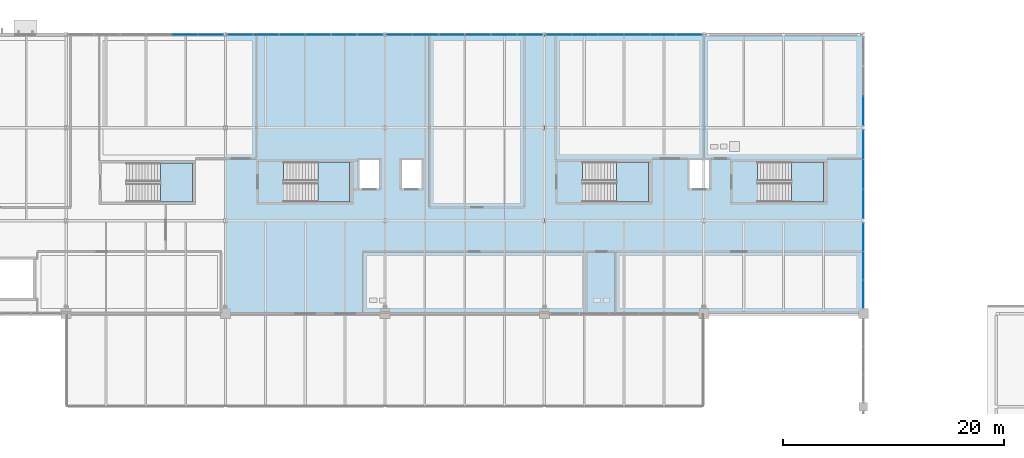
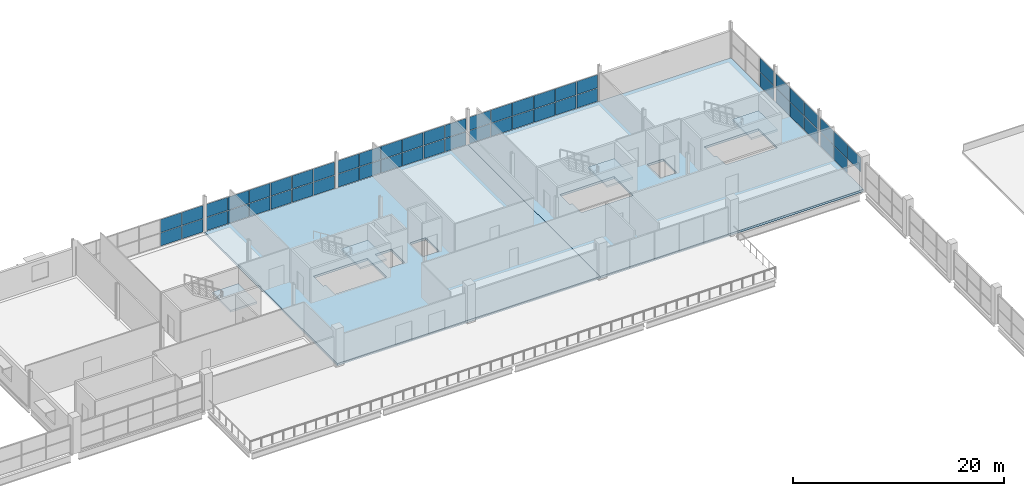
# One storey, part 73 of 93: 53 plates, 6 slabs, 11 elements without a shape of their own.
"""IFC4 building model written with IfcOpenShell, lengths in metres."""

from ifc_helpers import new_model, si_unit, direction, frame, origin, origin_2d, place, context, subcontext, project, spatial, polyline, rectangle, outline, extrude, material, layer, layer_set, type_object, element, aggregate, save


model = new_model("IFC4")

# Units and contexts
model_context = context("Model", 3, precision=1e-05, world=origin(), true_north=direction((0.0, 1.0)))
body_context = subcontext(model_context, "Body", "Model", "MODEL_VIEW")
ifc_project = project(units=[si_unit("LENGTHUNIT", "METRE"), si_unit("AREAUNIT", "SQUARE_METRE"), si_unit("VOLUMEUNIT", "CUBIC_METRE"), si_unit("PLANEANGLEUNIT", "RADIAN"), si_unit("MASSUNIT", "GRAM", prefix="KILO"), si_unit("THERMODYNAMICTEMPERATUREUNIT", "KELVIN")], contexts=[model_context])

# Site, building, storey
site_placement = place(None, origin())
site = spatial("IfcSite", under=ifc_project, at=site_placement, CompositionType="ELEMENT")
building_placement = place(site_placement, origin())
building = spatial("IfcBuilding", under=site, at=building_placement, Name="Nduvali Passage Aquatics Centre", CompositionType="ELEMENT")
storey_placement = place(building_placement, frame((0.0, 0.0, 9.0)))
storey = spatial("IfcBuildingStorey", under=building, at=storey_placement, Name="L02", CompositionType="ELEMENT", Elevation=9.0)

# Curtain wall, plates
ifc_material_1 = material(Name="Aluminium EN AW-6063 T6", Category="aluminium")
curtain_wall_type_1 = type_object("IfcCurtainWallType", Name="ENV-CW-WELL", PredefinedType="NOTDEFINED", material=ifc_material_1)
curtain_wall_1_placement = place(storey_placement, origin())
curtain_wall_1 = element("IfcCurtainWall", 1, at=curtain_wall_1_placement, inside=storey, type_object=curtain_wall_type_1, Name="L02 North Avenue Clinic CW 101", PredefinedType="NOTDEFINED")
ifc_material_2 = material(Name="Laminated solar-control low-E IGU")
ifc_layer_1 = layer(ifc_material_2, 0.028076171875, Name="Laminated solar-control low-E IGU")
ifc_layer_set_1 = layer_set([ifc_layer_1], Name="Laminated solar-control low-E IGU")
plate_type = type_object("IfcPlateType", Name="ENV-PLT-GLZ28", PredefinedType="CURTAIN_PANEL", material=ifc_layer_set_1)
plate_1_placement = place(storey_placement, frame((64.72509765625, 117.60009765625, 0.059814453125), z_axis=(0.0, 0.0, 1.0), x_axis=(1.0, 0.0, 0.0)))
plate_1 = element("IfcPlate", 2, at=plate_1_placement, type_object=plate_type, Name="North Avenue Clinic CW Glazed Panel B5-R1", PredefinedType="CURTAIN_PANEL", context=body_context, shape_type="SweptSolid", body=[
    extrude(rectangle(XDim=2.2900390625, YDim=0.028076171875, at=origin_2d()), origin(), (0.0, 0.0, 1.0), 1.501953125),
])
plate_2_placement = place(storey_placement, frame((64.72509765625, 117.60009765625, 1.621826171875), z_axis=(0.0, 0.0, 1.0), x_axis=(1.0, 0.0, 0.0)))
plate_2 = element("IfcPlate", 3, at=plate_2_placement, type_object=plate_type, Name="North Avenue Clinic CW Glazed Panel B5-R2", PredefinedType="CURTAIN_PANEL", context=body_context, shape_type="SweptSolid", body=[
    extrude(rectangle(XDim=2.2900390625, YDim=0.028076171875, at=origin_2d()), origin(), (0.0, 0.0, 1.0), 1.501953125),
])
plate_3_placement = place(storey_placement, frame((67.06005859375, 117.60009765625, 0.059814453125), z_axis=(0.0, 0.0, 1.0), x_axis=(1.0, 0.0, 0.0)))
plate_3 = element("IfcPlate", 4, at=plate_3_placement, type_object=plate_type, Name="North Avenue Clinic CW Glazed Panel B6-R1", PredefinedType="CURTAIN_PANEL", context=body_context, shape_type="SweptSolid", body=[
    extrude(rectangle(XDim=2.260009765625, YDim=0.028076171875, at=origin_2d()), origin(), (0.0, 0.0, 1.0), 1.501953125),
])
plate_4_placement = place(storey_placement, frame((67.06005859375, 117.60009765625, 1.621826171875), z_axis=(0.0, 0.0, 1.0), x_axis=(1.0, 0.0, 0.0)))
plate_4 = element("IfcPlate", 5, at=plate_4_placement, type_object=plate_type, Name="North Avenue Clinic CW Glazed Panel B6-R2", PredefinedType="CURTAIN_PANEL", context=body_context, shape_type="SweptSolid", body=[
    extrude(rectangle(XDim=2.260009765625, YDim=0.028076171875, at=origin_2d()), origin(), (0.0, 0.0, 1.0), 1.501953125),
])
aggregate(curtain_wall_1, [plate_1, plate_2, plate_3, plate_4])

curtain_wall_2_placement = place(storey_placement, origin())
curtain_wall_2 = element("IfcCurtainWall", 6, at=curtain_wall_2_placement, inside=storey, type_object=curtain_wall_type_1, Name="L02 North Avenue Clinic CW 104", PredefinedType="NOTDEFINED")
plate_5_placement = place(storey_placement, frame((69.739990234375, 117.60009765625, 0.059814453125), z_axis=(0.0, 0.0, 1.0), x_axis=(1.0, 0.0, 0.0)))
plate_5 = element("IfcPlate", 7, at=plate_5_placement, type_object=plate_type, Name="North Avenue Clinic CW Glazed Panel B1-R1", PredefinedType="CURTAIN_PANEL", context=body_context, shape_type="SweptSolid", body=[
    extrude(rectangle(XDim=2.260009765625, YDim=0.028076171875, at=origin_2d()), origin(), (0.0, 0.0, 1.0), 1.501953125),
])
plate_6_placement = place(storey_placement, frame((69.739990234375, 117.60009765625, 1.621826171875), z_axis=(0.0, 0.0, 1.0), x_axis=(1.0, 0.0, 0.0)))
plate_6 = element("IfcPlate", 8, at=plate_6_placement, type_object=plate_type, Name="North Avenue Clinic CW Glazed Panel B1-R2", PredefinedType="CURTAIN_PANEL", context=body_context, shape_type="SweptSolid", body=[
    extrude(rectangle(XDim=2.260009765625, YDim=0.028076171875, at=origin_2d()), origin(), (0.0, 0.0, 1.0), 1.501953125),
])
plate_7_placement = place(storey_placement, frame((72.074951171875, 117.60009765625, 0.059814453125), z_axis=(0.0, 0.0, 1.0), x_axis=(1.0, 0.0, 0.0)))
plate_7 = element("IfcPlate", 9, at=plate_7_placement, type_object=plate_type, Name="North Avenue Clinic CW Glazed Panel B2-R1", PredefinedType="CURTAIN_PANEL", context=body_context, shape_type="SweptSolid", body=[
    extrude(rectangle(XDim=2.2900390625, YDim=0.028076171875, at=origin_2d()), origin(), (0.0, 0.0, 1.0), 1.501953125),
])
plate_8_placement = place(storey_placement, frame((72.074951171875, 117.60009765625, 1.621826171875), z_axis=(0.0, 0.0, 1.0), x_axis=(1.0, 0.0, 0.0)))
plate_8 = element("IfcPlate", 10, at=plate_8_placement, type_object=plate_type, Name="North Avenue Clinic CW Glazed Panel B2-R2", PredefinedType="CURTAIN_PANEL", context=body_context, shape_type="SweptSolid", body=[
    extrude(rectangle(XDim=2.2900390625, YDim=0.028076171875, at=origin_2d()), origin(), (0.0, 0.0, 1.0), 1.501953125),
])
plate_9_placement = place(storey_placement, frame((74.425048828125, 117.60009765625, 0.059814453125), z_axis=(0.0, 0.0, 1.0), x_axis=(1.0, 0.0, 0.0)))
plate_9 = element("IfcPlate", 11, at=plate_9_placement, type_object=plate_type, Name="North Avenue Clinic CW Glazed Panel B3-R1", PredefinedType="CURTAIN_PANEL", context=body_context, shape_type="SweptSolid", body=[
    extrude(rectangle(XDim=2.2900390625, YDim=0.028076171875, at=origin_2d()), origin(), (0.0, 0.0, 1.0), 1.501953125),
])
plate_10_placement = place(storey_placement, frame((74.425048828125, 117.60009765625, 1.621826171875), z_axis=(0.0, 0.0, 1.0), x_axis=(1.0, 0.0, 0.0)))
plate_10 = element("IfcPlate", 12, at=plate_10_placement, type_object=plate_type, Name="North Avenue Clinic CW Glazed Panel B3-R2", PredefinedType="CURTAIN_PANEL", context=body_context, shape_type="SweptSolid", body=[
    extrude(rectangle(XDim=2.2900390625, YDim=0.028076171875, at=origin_2d()), origin(), (0.0, 0.0, 1.0), 1.501953125),
])
plate_11_placement = place(storey_placement, frame((76.77490234375, 117.60009765625, 0.059814453125), z_axis=(0.0, 0.0, 1.0), x_axis=(1.0, 0.0, 0.0)))
plate_11 = element("IfcPlate", 13, at=plate_11_placement, type_object=plate_type, Name="North Avenue Clinic CW Glazed Panel B4-R1", PredefinedType="CURTAIN_PANEL", context=body_context, shape_type="SweptSolid", body=[
    extrude(rectangle(XDim=2.2900390625, YDim=0.028076171875, at=origin_2d()), origin(), (0.0, 0.0, 1.0), 1.501953125),
])
plate_12_placement = place(storey_placement, frame((76.77490234375, 117.60009765625, 1.621826171875), z_axis=(0.0, 0.0, 1.0), x_axis=(1.0, 0.0, 0.0)))
plate_12 = element("IfcPlate", 14, at=plate_12_placement, type_object=plate_type, Name="North Avenue Clinic CW Glazed Panel B4-R2", PredefinedType="CURTAIN_PANEL", context=body_context, shape_type="SweptSolid", body=[
    extrude(rectangle(XDim=2.2900390625, YDim=0.028076171875, at=origin_2d()), origin(), (0.0, 0.0, 1.0), 1.501953125),
])
plate_13_placement = place(storey_placement, frame((79.125, 117.60009765625, 0.059814453125), z_axis=(0.0, 0.0, 1.0), x_axis=(1.0, 0.0, 0.0)))
plate_13 = element("IfcPlate", 15, at=plate_13_placement, type_object=plate_type, Name="North Avenue Clinic CW Glazed Panel B5-R1", PredefinedType="CURTAIN_PANEL", context=body_context, shape_type="SweptSolid", body=[
    extrude(rectangle(XDim=2.2900390625, YDim=0.028076171875, at=origin_2d()), origin(), (0.0, 0.0, 1.0), 1.501953125),
])
plate_14_placement = place(storey_placement, frame((79.125, 117.60009765625, 1.621826171875), z_axis=(0.0, 0.0, 1.0), x_axis=(1.0, 0.0, 0.0)))
plate_14 = element("IfcPlate", 16, at=plate_14_placement, type_object=plate_type, Name="North Avenue Clinic CW Glazed Panel B5-R2", PredefinedType="CURTAIN_PANEL", context=body_context, shape_type="SweptSolid", body=[
    extrude(rectangle(XDim=2.2900390625, YDim=0.028076171875, at=origin_2d()), origin(), (0.0, 0.0, 1.0), 1.501953125),
])
plate_15_placement = place(storey_placement, frame((81.4599609375, 117.60009765625, 0.059814453125), z_axis=(0.0, 0.0, 1.0), x_axis=(1.0, 0.0, 0.0)))
plate_15 = element("IfcPlate", 17, at=plate_15_placement, type_object=plate_type, Name="North Avenue Clinic CW Glazed Panel B6-R1", PredefinedType="CURTAIN_PANEL", context=body_context, shape_type="SweptSolid", body=[
    extrude(rectangle(XDim=2.260009765625, YDim=0.028076171875, at=origin_2d()), origin(), (0.0, 0.0, 1.0), 1.501953125),
])
plate_16_placement = place(storey_placement, frame((81.4599609375, 117.60009765625, 1.621826171875), z_axis=(0.0, 0.0, 1.0), x_axis=(1.0, 0.0, 0.0)))
plate_16 = element("IfcPlate", 18, at=plate_16_placement, type_object=plate_type, Name="North Avenue Clinic CW Glazed Panel B6-R2", PredefinedType="CURTAIN_PANEL", context=body_context, shape_type="SweptSolid", body=[
    extrude(rectangle(XDim=2.260009765625, YDim=0.028076171875, at=origin_2d()), origin(), (0.0, 0.0, 1.0), 1.501953125),
])
aggregate(curtain_wall_2, [plate_5, plate_6, plate_7, plate_8, plate_9, plate_10, plate_11, plate_12, plate_13, plate_14, plate_15, plate_16])

curtain_wall_3_placement = place(storey_placement, origin())
curtain_wall_3 = element("IfcCurtainWall", 19, at=curtain_wall_3_placement, inside=storey, type_object=curtain_wall_type_1, Name="L02 North Avenue Clinic CW 109", PredefinedType="NOTDEFINED")
plate_17_placement = place(storey_placement, frame((84.139892578125, 117.60009765625, 0.059814453125), z_axis=(0.0, 0.0, 1.0), x_axis=(1.0, 0.0, 0.0)))
plate_17 = element("IfcPlate", 20, at=plate_17_placement, type_object=plate_type, Name="North Avenue Clinic CW Glazed Panel B1-R1", PredefinedType="CURTAIN_PANEL", context=body_context, shape_type="SweptSolid", body=[
    extrude(rectangle(XDim=2.260009765625, YDim=0.028076171875, at=origin_2d()), origin(), (0.0, 0.0, 1.0), 1.501953125),
])
plate_18_placement = place(storey_placement, frame((84.139892578125, 117.60009765625, 1.621826171875), z_axis=(0.0, 0.0, 1.0), x_axis=(1.0, 0.0, 0.0)))
plate_18 = element("IfcPlate", 21, at=plate_18_placement, type_object=plate_type, Name="North Avenue Clinic CW Glazed Panel B1-R2", PredefinedType="CURTAIN_PANEL", context=body_context, shape_type="SweptSolid", body=[
    extrude(rectangle(XDim=2.260009765625, YDim=0.028076171875, at=origin_2d()), origin(), (0.0, 0.0, 1.0), 1.501953125),
])
plate_19_placement = place(storey_placement, frame((86.47509765625, 117.60009765625, 0.059814453125), z_axis=(0.0, 0.0, 1.0), x_axis=(1.0, 0.0, 0.0)))
plate_19 = element("IfcPlate", 22, at=plate_19_placement, type_object=plate_type, Name="North Avenue Clinic CW Glazed Panel B2-R1", PredefinedType="CURTAIN_PANEL", context=body_context, shape_type="SweptSolid", body=[
    extrude(rectangle(XDim=2.2900390625, YDim=0.028076171875, at=origin_2d()), origin(), (0.0, 0.0, 1.0), 1.501953125),
])
plate_20_placement = place(storey_placement, frame((86.47509765625, 117.60009765625, 1.621826171875), z_axis=(0.0, 0.0, 1.0), x_axis=(1.0, 0.0, 0.0)))
plate_20 = element("IfcPlate", 23, at=plate_20_placement, type_object=plate_type, Name="North Avenue Clinic CW Glazed Panel B2-R2", PredefinedType="CURTAIN_PANEL", context=body_context, shape_type="SweptSolid", body=[
    extrude(rectangle(XDim=2.2900390625, YDim=0.028076171875, at=origin_2d()), origin(), (0.0, 0.0, 1.0), 1.501953125),
])
plate_21_placement = place(storey_placement, frame((88.824951171875, 117.60009765625, 0.059814453125), z_axis=(0.0, 0.0, 1.0), x_axis=(1.0, 0.0, 0.0)))
plate_21 = element("IfcPlate", 24, at=plate_21_placement, type_object=plate_type, Name="North Avenue Clinic CW Glazed Panel B3-R1", PredefinedType="CURTAIN_PANEL", context=body_context, shape_type="SweptSolid", body=[
    extrude(rectangle(XDim=2.2900390625, YDim=0.028076171875, at=origin_2d()), origin(), (0.0, 0.0, 1.0), 1.501953125),
])
plate_22_placement = place(storey_placement, frame((88.824951171875, 117.60009765625, 1.621826171875), z_axis=(0.0, 0.0, 1.0), x_axis=(1.0, 0.0, 0.0)))
plate_22 = element("IfcPlate", 25, at=plate_22_placement, type_object=plate_type, Name="North Avenue Clinic CW Glazed Panel B3-R2", PredefinedType="CURTAIN_PANEL", context=body_context, shape_type="SweptSolid", body=[
    extrude(rectangle(XDim=2.2900390625, YDim=0.028076171875, at=origin_2d()), origin(), (0.0, 0.0, 1.0), 1.501953125),
])
plate_23_placement = place(storey_placement, frame((91.175048828125, 117.60009765625, 0.059814453125), z_axis=(0.0, 0.0, 1.0), x_axis=(1.0, 0.0, 0.0)))
plate_23 = element("IfcPlate", 26, at=plate_23_placement, type_object=plate_type, Name="North Avenue Clinic CW Glazed Panel B4-R1", PredefinedType="CURTAIN_PANEL", context=body_context, shape_type="SweptSolid", body=[
    extrude(rectangle(XDim=2.2900390625, YDim=0.028076171875, at=origin_2d()), origin(), (0.0, 0.0, 1.0), 1.501953125),
])
plate_24_placement = place(storey_placement, frame((91.175048828125, 117.60009765625, 1.621826171875), z_axis=(0.0, 0.0, 1.0), x_axis=(1.0, 0.0, 0.0)))
plate_24 = element("IfcPlate", 27, at=plate_24_placement, type_object=plate_type, Name="North Avenue Clinic CW Glazed Panel B4-R2", PredefinedType="CURTAIN_PANEL", context=body_context, shape_type="SweptSolid", body=[
    extrude(rectangle(XDim=2.2900390625, YDim=0.028076171875, at=origin_2d()), origin(), (0.0, 0.0, 1.0), 1.501953125),
])
plate_25_placement = place(storey_placement, frame((93.52490234375, 117.60009765625, 0.059814453125), z_axis=(0.0, 0.0, 1.0), x_axis=(1.0, 0.0, 0.0)))
plate_25 = element("IfcPlate", 28, at=plate_25_placement, type_object=plate_type, Name="North Avenue Clinic CW Glazed Panel B5-R1", PredefinedType="CURTAIN_PANEL", context=body_context, shape_type="SweptSolid", body=[
    extrude(rectangle(XDim=2.2900390625, YDim=0.028076171875, at=origin_2d()), origin(), (0.0, 0.0, 1.0), 1.501953125),
])
plate_26_placement = place(storey_placement, frame((93.52490234375, 117.60009765625, 1.621826171875), z_axis=(0.0, 0.0, 1.0), x_axis=(1.0, 0.0, 0.0)))
plate_26 = element("IfcPlate", 29, at=plate_26_placement, type_object=plate_type, Name="North Avenue Clinic CW Glazed Panel B5-R2", PredefinedType="CURTAIN_PANEL", context=body_context, shape_type="SweptSolid", body=[
    extrude(rectangle(XDim=2.2900390625, YDim=0.028076171875, at=origin_2d()), origin(), (0.0, 0.0, 1.0), 1.501953125),
])
plate_27_placement = place(storey_placement, frame((95.860107421875, 117.60009765625, 0.059814453125), z_axis=(0.0, 0.0, 1.0), x_axis=(1.0, 0.0, 0.0)))
plate_27 = element("IfcPlate", 30, at=plate_27_placement, type_object=plate_type, Name="North Avenue Clinic CW Glazed Panel B6-R1", PredefinedType="CURTAIN_PANEL", context=body_context, shape_type="SweptSolid", body=[
    extrude(rectangle(XDim=2.260009765625, YDim=0.028076171875, at=origin_2d()), origin(), (0.0, 0.0, 1.0), 1.501953125),
])
plate_28_placement = place(storey_placement, frame((95.860107421875, 117.60009765625, 1.621826171875), z_axis=(0.0, 0.0, 1.0), x_axis=(1.0, 0.0, 0.0)))
plate_28 = element("IfcPlate", 31, at=plate_28_placement, type_object=plate_type, Name="North Avenue Clinic CW Glazed Panel B6-R2", PredefinedType="CURTAIN_PANEL", context=body_context, shape_type="SweptSolid", body=[
    extrude(rectangle(XDim=2.260009765625, YDim=0.028076171875, at=origin_2d()), origin(), (0.0, 0.0, 1.0), 1.501953125),
])
aggregate(curtain_wall_3, [plate_17, plate_18, plate_19, plate_20, plate_21, plate_22, plate_23, plate_24, plate_25, plate_26, plate_27, plate_28])

curtain_wall_4_placement = place(storey_placement, origin())
curtain_wall_4 = element("IfcCurtainWall", 32, at=curtain_wall_4_placement, inside=storey, type_object=curtain_wall_type_1, Name="L02 North Avenue Clinic CW 113", PredefinedType="NOTDEFINED")
plate_29_placement = place(storey_placement, frame((98.5400390625, 117.60009765625, 0.059814453125), z_axis=(0.0, 0.0, 1.0), x_axis=(1.0, 0.0, 0.0)))
plate_29 = element("IfcPlate", 33, at=plate_29_placement, type_object=plate_type, Name="North Avenue Clinic CW Glazed Panel B1-R1", PredefinedType="CURTAIN_PANEL", context=body_context, shape_type="SweptSolid", body=[
    extrude(rectangle(XDim=2.260009765625, YDim=0.028076171875, at=origin_2d()), origin(), (0.0, 0.0, 1.0), 1.501953125),
])
plate_30_placement = place(storey_placement, frame((98.5400390625, 117.60009765625, 1.621826171875), z_axis=(0.0, 0.0, 1.0), x_axis=(1.0, 0.0, 0.0)))
plate_30 = element("IfcPlate", 34, at=plate_30_placement, type_object=plate_type, Name="North Avenue Clinic CW Glazed Panel B1-R2", PredefinedType="CURTAIN_PANEL", context=body_context, shape_type="SweptSolid", body=[
    extrude(rectangle(XDim=2.260009765625, YDim=0.028076171875, at=origin_2d()), origin(), (0.0, 0.0, 1.0), 1.501953125),
])
plate_31_placement = place(storey_placement, frame((100.875, 117.60009765625, 0.059814453125), z_axis=(0.0, 0.0, 1.0), x_axis=(1.0, 0.0, 0.0)))
plate_31 = element("IfcPlate", 35, at=plate_31_placement, type_object=plate_type, Name="North Avenue Clinic CW Glazed Panel B2-R1", PredefinedType="CURTAIN_PANEL", context=body_context, shape_type="SweptSolid", body=[
    extrude(rectangle(XDim=2.2900390625, YDim=0.028076171875, at=origin_2d()), origin(), (0.0, 0.0, 1.0), 1.501953125),
])
plate_32_placement = place(storey_placement, frame((100.875, 117.60009765625, 1.621826171875), z_axis=(0.0, 0.0, 1.0), x_axis=(1.0, 0.0, 0.0)))
plate_32 = element("IfcPlate", 36, at=plate_32_placement, type_object=plate_type, Name="North Avenue Clinic CW Glazed Panel B2-R2", PredefinedType="CURTAIN_PANEL", context=body_context, shape_type="SweptSolid", body=[
    extrude(rectangle(XDim=2.2900390625, YDim=0.028076171875, at=origin_2d()), origin(), (0.0, 0.0, 1.0), 1.501953125),
])
plate_33_placement = place(storey_placement, frame((103.22509765625, 117.60009765625, 0.059814453125), z_axis=(0.0, 0.0, 1.0), x_axis=(1.0, 0.0, 0.0)))
plate_33 = element("IfcPlate", 37, at=plate_33_placement, type_object=plate_type, Name="North Avenue Clinic CW Glazed Panel B3-R1", PredefinedType="CURTAIN_PANEL", context=body_context, shape_type="SweptSolid", body=[
    extrude(rectangle(XDim=2.2900390625, YDim=0.028076171875, at=origin_2d()), origin(), (0.0, 0.0, 1.0), 1.501953125),
])
plate_34_placement = place(storey_placement, frame((103.22509765625, 117.60009765625, 1.621826171875), z_axis=(0.0, 0.0, 1.0), x_axis=(1.0, 0.0, 0.0)))
plate_34 = element("IfcPlate", 38, at=plate_34_placement, type_object=plate_type, Name="North Avenue Clinic CW Glazed Panel B3-R2", PredefinedType="CURTAIN_PANEL", context=body_context, shape_type="SweptSolid", body=[
    extrude(rectangle(XDim=2.2900390625, YDim=0.028076171875, at=origin_2d()), origin(), (0.0, 0.0, 1.0), 1.501953125),
])
plate_35_placement = place(storey_placement, frame((105.574951171875, 117.60009765625, 0.059814453125), z_axis=(0.0, 0.0, 1.0), x_axis=(1.0, 0.0, 0.0)))
plate_35 = element("IfcPlate", 39, at=plate_35_placement, type_object=plate_type, Name="North Avenue Clinic CW Glazed Panel B4-R1", PredefinedType="CURTAIN_PANEL", context=body_context, shape_type="SweptSolid", body=[
    extrude(rectangle(XDim=2.2900390625, YDim=0.028076171875, at=origin_2d()), origin(), (0.0, 0.0, 1.0), 1.501953125),
])
plate_36_placement = place(storey_placement, frame((105.574951171875, 117.60009765625, 1.621826171875), z_axis=(0.0, 0.0, 1.0), x_axis=(1.0, 0.0, 0.0)))
plate_36 = element("IfcPlate", 40, at=plate_36_placement, type_object=plate_type, Name="North Avenue Clinic CW Glazed Panel B4-R2", PredefinedType="CURTAIN_PANEL", context=body_context, shape_type="SweptSolid", body=[
    extrude(rectangle(XDim=2.2900390625, YDim=0.028076171875, at=origin_2d()), origin(), (0.0, 0.0, 1.0), 1.501953125),
])
plate_37_placement = place(storey_placement, frame((107.925048828125, 117.60009765625, 0.059814453125), z_axis=(0.0, 0.0, 1.0), x_axis=(1.0, 0.0, 0.0)))
plate_37 = element("IfcPlate", 41, at=plate_37_placement, type_object=plate_type, Name="North Avenue Clinic CW Glazed Panel B5-R1", PredefinedType="CURTAIN_PANEL", context=body_context, shape_type="SweptSolid", body=[
    extrude(rectangle(XDim=2.2900390625, YDim=0.028076171875, at=origin_2d()), origin(), (0.0, 0.0, 1.0), 1.501953125),
])
plate_38_placement = place(storey_placement, frame((107.925048828125, 117.60009765625, 1.621826171875), z_axis=(0.0, 0.0, 1.0), x_axis=(1.0, 0.0, 0.0)))
plate_38 = element("IfcPlate", 42, at=plate_38_placement, type_object=plate_type, Name="North Avenue Clinic CW Glazed Panel B5-R2", PredefinedType="CURTAIN_PANEL", context=body_context, shape_type="SweptSolid", body=[
    extrude(rectangle(XDim=2.2900390625, YDim=0.028076171875, at=origin_2d()), origin(), (0.0, 0.0, 1.0), 1.501953125),
])
plate_39_placement = place(storey_placement, frame((110.260009765625, 117.60009765625, 0.059814453125), z_axis=(0.0, 0.0, 1.0), x_axis=(1.0, 0.0, 0.0)))
plate_39 = element("IfcPlate", 43, at=plate_39_placement, type_object=plate_type, Name="North Avenue Clinic CW Glazed Panel B6-R1", PredefinedType="CURTAIN_PANEL", context=body_context, shape_type="SweptSolid", body=[
    extrude(rectangle(XDim=2.260009765625, YDim=0.028076171875, at=origin_2d()), origin(), (0.0, 0.0, 1.0), 1.501953125),
])
plate_40_placement = place(storey_placement, frame((110.260009765625, 117.60009765625, 1.621826171875), z_axis=(0.0, 0.0, 1.0), x_axis=(1.0, 0.0, 0.0)))
plate_40 = element("IfcPlate", 44, at=plate_40_placement, type_object=plate_type, Name="North Avenue Clinic CW Glazed Panel B6-R2", PredefinedType="CURTAIN_PANEL", context=body_context, shape_type="SweptSolid", body=[
    extrude(rectangle(XDim=2.260009765625, YDim=0.028076171875, at=origin_2d()), origin(), (0.0, 0.0, 1.0), 1.501953125),
])
aggregate(curtain_wall_4, [plate_29, plate_30, plate_31, plate_32, plate_33, plate_34, plate_35, plate_36, plate_37, plate_38, plate_39, plate_40])

curtain_wall_type_2 = type_object("IfcCurtainWallType", Name="ENV-CW-PASS", PredefinedType="NOTDEFINED", material=ifc_material_1)
curtain_wall_5_placement = place(storey_placement, origin())
curtain_wall_5 = element("IfcCurtainWall", 45, at=curtain_wall_5_placement, inside=storey, type_object=curtain_wall_type_2, Name="L02 East Passage Studio CW 118", PredefinedType="NOTDEFINED")
plate_41_placement = place(storey_placement, frame((126.0, 94.160888671875, 1.733154296875), z_axis=(0.0, 0.0, 1.0), x_axis=(0.0, 1.0, 0.0)))
plate_41 = element("IfcPlate", 46, at=plate_41_placement, type_object=plate_type, Name="East Passage Studio CW Glazed Panel B1-R2", PredefinedType="CURTAIN_PANEL", context=body_context, shape_type="SweptSolid", body=[
    extrude(rectangle(XDim=2.501708984375, YDim=0.028076171875, at=origin_2d()), origin(), (0.0, 0.0, 1.0), 1.61328125),
])
plate_42_placement = place(storey_placement, frame((126.0, 96.737548828125, 0.06005859375), z_axis=(0.0, 0.0, 1.0), x_axis=(0.0, 1.0, 0.0)))
plate_42 = element("IfcPlate", 47, at=plate_42_placement, type_object=plate_type, Name="East Passage Studio CW Glazed Panel B2-R1", PredefinedType="CURTAIN_PANEL", context=body_context, shape_type="SweptSolid", body=[
    extrude(rectangle(XDim=2.53173828125, YDim=0.028076171875, at=origin_2d()), origin(), (0.0, 0.0, 1.0), 1.61328125),
])
plate_43_placement = place(storey_placement, frame((126.0, 96.737548828125, 1.733154296875), z_axis=(0.0, 0.0, 1.0), x_axis=(0.0, 1.0, 0.0)))
plate_43 = element("IfcPlate", 48, at=plate_43_placement, type_object=plate_type, Name="East Passage Studio CW Glazed Panel B2-R2", PredefinedType="CURTAIN_PANEL", context=body_context, shape_type="SweptSolid", body=[
    extrude(rectangle(XDim=2.53173828125, YDim=0.028076171875, at=origin_2d()), origin(), (0.0, 0.0, 1.0), 1.61328125),
])
plate_44_placement = place(storey_placement, frame((126.0, 99.314208984375, 0.06005859375), z_axis=(0.0, 0.0, 1.0), x_axis=(0.0, 1.0, 0.0)))
plate_44 = element("IfcPlate", 49, at=plate_44_placement, type_object=plate_type, Name="East Passage Studio CW Glazed Panel B3-R1", PredefinedType="CURTAIN_PANEL", context=body_context, shape_type="SweptSolid", body=[
    extrude(rectangle(XDim=2.501708984375, YDim=0.028076171875, at=origin_2d()), origin(), (0.0, 0.0, 1.0), 1.61328125),
])
plate_45_placement = place(storey_placement, frame((126.0, 99.314208984375, 1.733154296875), z_axis=(0.0, 0.0, 1.0), x_axis=(0.0, 1.0, 0.0)))
plate_45 = element("IfcPlate", 50, at=plate_45_placement, type_object=plate_type, Name="East Passage Studio CW Glazed Panel B3-R2", PredefinedType="CURTAIN_PANEL", context=body_context, shape_type="SweptSolid", body=[
    extrude(rectangle(XDim=2.501708984375, YDim=0.028076171875, at=origin_2d()), origin(), (0.0, 0.0, 1.0), 1.61328125),
])
aggregate(curtain_wall_5, [plate_41, plate_42, plate_43, plate_44, plate_45])

curtain_wall_6_placement = place(storey_placement, origin())
curtain_wall_6 = element("IfcCurtainWall", 51, at=curtain_wall_6_placement, inside=storey, type_object=curtain_wall_type_2, Name="L02 East Passage Studio CW 122", PredefinedType="NOTDEFINED")
plate_46_placement = place(storey_placement, frame((126.0, 102.33251953125, 0.06005859375), z_axis=(0.0, 0.0, 1.0), x_axis=(0.0, 1.0, 0.0)))
plate_46 = element("IfcPlate", 52, at=plate_46_placement, type_object=plate_type, Name="East Passage Studio CW Glazed Panel B1-R1", PredefinedType="CURTAIN_PANEL", context=body_context, shape_type="SweptSolid", body=[
    extrude(rectangle(XDim=2.594970703125, YDim=0.028076171875, at=origin_2d()), origin(), (0.0, 0.0, 1.0), 1.61328125),
])
plate_47_placement = place(storey_placement, frame((126.0, 102.33251953125, 1.733154296875), z_axis=(0.0, 0.0, 1.0), x_axis=(0.0, 1.0, 0.0)))
plate_47 = element("IfcPlate", 53, at=plate_47_placement, type_object=plate_type, Name="East Passage Studio CW Glazed Panel B1-R2", PredefinedType="CURTAIN_PANEL", context=body_context, shape_type="SweptSolid", body=[
    extrude(rectangle(XDim=2.594970703125, YDim=0.028076171875, at=origin_2d()), origin(), (0.0, 0.0, 1.0), 1.61328125),
])
plate_48_placement = place(storey_placement, frame((126.0, 105.00244140625, 0.06005859375), z_axis=(0.0, 0.0, 1.0), x_axis=(0.0, 1.0, 0.0)))
plate_48 = element("IfcPlate", 54, at=plate_48_placement, type_object=plate_type, Name="East Passage Studio CW Glazed Panel B2-R1", PredefinedType="CURTAIN_PANEL", context=body_context, shape_type="SweptSolid", body=[
    extrude(rectangle(XDim=2.625, YDim=0.028076171875, at=origin_2d()), origin(), (0.0, 0.0, 1.0), 1.61328125),
])
plate_49_placement = place(storey_placement, frame((126.0, 105.00244140625, 1.733154296875), z_axis=(0.0, 0.0, 1.0), x_axis=(0.0, 1.0, 0.0)))
plate_49 = element("IfcPlate", 55, at=plate_49_placement, type_object=plate_type, Name="East Passage Studio CW Glazed Panel B2-R2", PredefinedType="CURTAIN_PANEL", context=body_context, shape_type="SweptSolid", body=[
    extrude(rectangle(XDim=2.625, YDim=0.028076171875, at=origin_2d()), origin(), (0.0, 0.0, 1.0), 1.61328125),
])
plate_50_placement = place(storey_placement, frame((126.0, 107.672607421875, 0.06005859375), z_axis=(0.0, 0.0, 1.0), x_axis=(0.0, 1.0, 0.0)))
plate_50 = element("IfcPlate", 56, at=plate_50_placement, type_object=plate_type, Name="East Passage Studio CW Glazed Panel B3-R1", PredefinedType="CURTAIN_PANEL", context=body_context, shape_type="SweptSolid", body=[
    extrude(rectangle(XDim=2.594970703125, YDim=0.028076171875, at=origin_2d()), origin(), (0.0, 0.0, 1.0), 1.61328125),
])
plate_51_placement = place(storey_placement, frame((126.0, 107.672607421875, 1.733154296875), z_axis=(0.0, 0.0, 1.0), x_axis=(0.0, 1.0, 0.0)))
plate_51 = element("IfcPlate", 57, at=plate_51_placement, type_object=plate_type, Name="East Passage Studio CW Glazed Panel B3-R2", PredefinedType="CURTAIN_PANEL", context=body_context, shape_type="SweptSolid", body=[
    extrude(rectangle(XDim=2.594970703125, YDim=0.028076171875, at=origin_2d()), origin(), (0.0, 0.0, 1.0), 1.61328125),
])
aggregate(curtain_wall_6, [plate_46, plate_47, plate_48, plate_49, plate_50, plate_51])

curtain_wall_7_placement = place(storey_placement, origin())
curtain_wall_7 = element("IfcCurtainWall", 58, at=curtain_wall_7_placement, inside=storey, type_object=curtain_wall_type_2, Name="L02 East Passage North Studio CW 125", PredefinedType="NOTDEFINED")
plate_52_placement = place(storey_placement, frame((126.0, 110.72998046875, 0.06005859375), z_axis=(0.0, 0.0, 1.0), x_axis=(0.0, 1.0, 0.0)))
plate_52 = element("IfcPlate", 59, at=plate_52_placement, type_object=plate_type, Name="East Passage North Studio CW Glazed Panel B1-R1", PredefinedType="CURTAIN_PANEL", context=body_context, shape_type="SweptSolid", body=[
    extrude(rectangle(XDim=2.60009765625, YDim=0.028076171875, at=origin_2d()), origin(), (0.0, 0.0, 1.0), 1.61328125),
])
plate_53_placement = place(storey_placement, frame((126.0, 110.72998046875, 1.733154296875), z_axis=(0.0, 0.0, 1.0), x_axis=(0.0, 1.0, 0.0)))
plate_53 = element("IfcPlate", 60, at=plate_53_placement, type_object=plate_type, Name="East Passage North Studio CW Glazed Panel B1-R2", PredefinedType="CURTAIN_PANEL", context=body_context, shape_type="SweptSolid", body=[
    extrude(rectangle(XDim=2.60009765625, YDim=0.028076171875, at=origin_2d()), origin(), (0.0, 0.0, 1.0), 1.61328125),
])
aggregate(curtain_wall_7, [plate_52, plate_53])

# Stair, slab
ifc_material_3 = material(Name="Concrete C40/50", Category="concrete")
stair_type_1 = type_object("IfcStairType", Name="INT-STR-CORE172", PredefinedType="HALF_TURN_STAIR", material=ifc_material_3)
stair_1_placement = place(storey_placement, origin())
stair_1 = element("IfcStair", 61, at=stair_1_placement, inside=storey, type_object=stair_type_1, Name="L02 ST1", PredefinedType="HALF_TURN_STAIR")
ifc_layer_2 = layer(ifc_material_3, 0.219970703125, Name="Concrete C40/50")
ifc_layer_set_2 = layer_set([ifc_layer_2], Name="Concrete C40/50")
slab_type_1 = type_object("IfcSlabType", Name="INT-SLB-LAND170", PredefinedType="LANDING", material=ifc_layer_set_2)
slab_1_placement = place(storey_placement, frame((0.0, 0.0, 1.8798828125)))
slab_1 = element("IfcSlab", 62, at=slab_1_placement, type_object=slab_type_1, Name="ST1 landing 1", PredefinedType="LANDING", context=body_context, shape_type="SweptSolid", body=[
    extrude(outline(polyline([(76.72998046875, 102.5), (79.60009765625, 102.5), (79.60009765625, 106.090087890625), (76.72998046875, 106.090087890625), (76.72998046875, 102.5)])), origin(), (0.0, 0.0, 1.0), 0.22021484375),
])
aggregate(stair_1, [slab_1])

stair_2_placement = place(storey_placement, origin())
stair_2 = element("IfcStair", 63, at=stair_2_placement, inside=storey, type_object=stair_type_1, Name="L02 ST2", PredefinedType="HALF_TURN_STAIR")
slab_2_placement = place(storey_placement, frame((0.0, 0.0, 1.8798828125)))
slab_2 = element("IfcSlab", 64, at=slab_2_placement, type_object=slab_type_1, Name="ST2 landing 1", PredefinedType="LANDING", context=body_context, shape_type="SweptSolid", body=[
    extrude(outline(polyline([(119.530029296875, 102.5), (122.39990234375, 102.5), (122.39990234375, 106.090087890625), (119.530029296875, 106.090087890625), (119.530029296875, 102.5)])), origin(), (0.0, 0.0, 1.0), 0.22021484375),
])
aggregate(stair_2, [slab_2])

stair_type_2 = type_object("IfcStairType", Name="INT-STR-CORE168", PredefinedType="HALF_TURN_STAIR", material=ifc_material_3)
stair_3_placement = place(storey_placement, origin())
stair_3 = element("IfcStair", 65, at=stair_3_placement, inside=storey, type_object=stair_type_2, Name="L02 ST3", PredefinedType="HALF_TURN_STAIR")
slab_3_placement = place(storey_placement, frame((0.0, 0.0, 1.8798828125)))
slab_3 = element("IfcSlab", 66, at=slab_3_placement, type_object=slab_type_1, Name="ST3 landing 1", PredefinedType="LANDING", context=body_context, shape_type="SweptSolid", body=[
    extrude(outline(polyline([(62.530029296875, 102.5), (65.39990234375, 102.5), (65.39990234375, 106.010009765625), (62.530029296875, 106.010009765625), (62.530029296875, 102.5)])), origin(), (0.0, 0.0, 1.0), 0.22021484375),
])
aggregate(stair_3, [slab_3])

stair_4_placement = place(storey_placement, origin())
stair_4 = element("IfcStair", 67, at=stair_4_placement, inside=storey, type_object=stair_type_1, Name="L02 ST11", PredefinedType="HALF_TURN_STAIR")
slab_4_placement = place(storey_placement, frame((0.0, 0.0, 1.8798828125)))
slab_4 = element("IfcSlab", 68, at=slab_4_placement, type_object=slab_type_1, Name="ST11 landing 1", PredefinedType="LANDING", context=body_context, shape_type="SweptSolid", body=[
    extrude(outline(polyline([(103.72998046875, 102.5), (106.60009765625, 102.5), (106.60009765625, 106.090087890625), (103.72998046875, 106.090087890625), (103.72998046875, 102.5)])), origin(), (0.0, 0.0, 1.0), 0.22021484375),
])
aggregate(stair_4, [slab_4])

# Slabs
ifc_layer_3 = layer(ifc_material_3, 0.260009765625, Name="Concrete C40/50")
ifc_layer_set_3 = layer_set([ifc_layer_3], Name="Concrete C40/50")
slab_type_2 = type_object("IfcSlabType", Name="STR-SLB-FLR260", PredefinedType="FLOOR", material=ifc_layer_set_3)
slab_5_placement = place(storey_placement, frame((0.0, 0.0, -0.260009765625)))
element("IfcSlab", 69, at=slab_5_placement, inside=storey, type_object=slab_type_2, Name="L02 Sports Medicine Clinic and Exercise Studios Floor Slab 2", PredefinedType="FLOOR", context=body_context, shape_type="SweptSolid", body=[
    extrude(outline(polyline([(68.39990234375, 92.449951171875), (97.199951171875, 92.449951171875), (97.199951171875, 117.60009765625), (68.39990234375, 117.60009765625), (68.39990234375, 92.449951171875)]), holes=[polyline([(73.929931640625, 102.5), (79.60009765625, 102.5), (79.60009765625, 106.090087890625), (73.64990234375, 106.090087890625), (73.64990234375, 104.219970703125), (73.929931640625, 104.219970703125), (73.929931640625, 102.5)]), polyline([(80.52001953125, 103.719970703125), (82.280029296875, 103.719970703125), (82.280029296875, 106.280029296875), (80.52001953125, 106.280029296875), (80.52001953125, 103.719970703125)]), polyline([(84.320068359375, 103.719970703125), (86.080078125, 103.719970703125), (86.080078125, 106.280029296875), (84.320068359375, 106.280029296875), (84.320068359375, 103.719970703125)])]), origin(), (0.0, 0.0, 1.0), 0.260009765625),
])
slab_6_placement = place(storey_placement, frame((0.0, 0.0, -0.260009765625)))
element("IfcSlab", 70, at=slab_6_placement, inside=storey, type_object=slab_type_2, Name="L02 Sports Medicine Clinic and Exercise Studios Floor Slab 3", PredefinedType="FLOOR", context=body_context, shape_type="SweptSolid", body=[
    extrude(outline(polyline([(97.199951171875, 92.449951171875), (126.0, 92.449951171875), (126.0, 117.60009765625), (97.199951171875, 117.60009765625), (97.199951171875, 92.449951171875)]), holes=[polyline([(116.72998046875, 102.5), (122.39990234375, 102.5), (122.39990234375, 106.090087890625), (116.449951171875, 106.090087890625), (116.449951171875, 104.219970703125), (116.72998046875, 104.219970703125), (116.72998046875, 102.5)]), polyline([(100.929931640625, 102.5), (106.60009765625, 102.5), (106.60009765625, 106.090087890625), (100.64990234375, 106.090087890625), (100.64990234375, 104.219970703125), (100.929931640625, 104.219970703125), (100.929931640625, 102.5)]), polyline([(110.320068359375, 103.719970703125), (112.080078125, 103.719970703125), (112.080078125, 106.280029296875), (110.320068359375, 106.280029296875), (110.320068359375, 103.719970703125)])]), origin(), (0.0, 0.0, 1.0), 0.260009765625),
])

save(model, "model.ifc")
